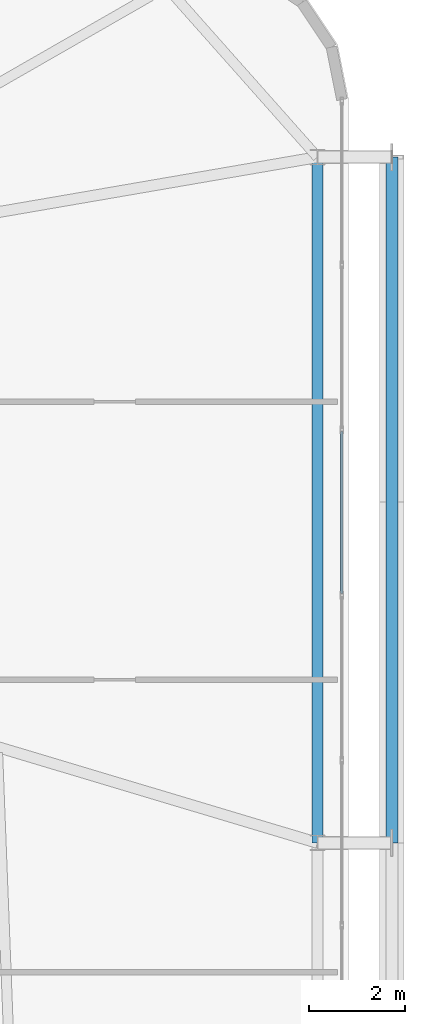
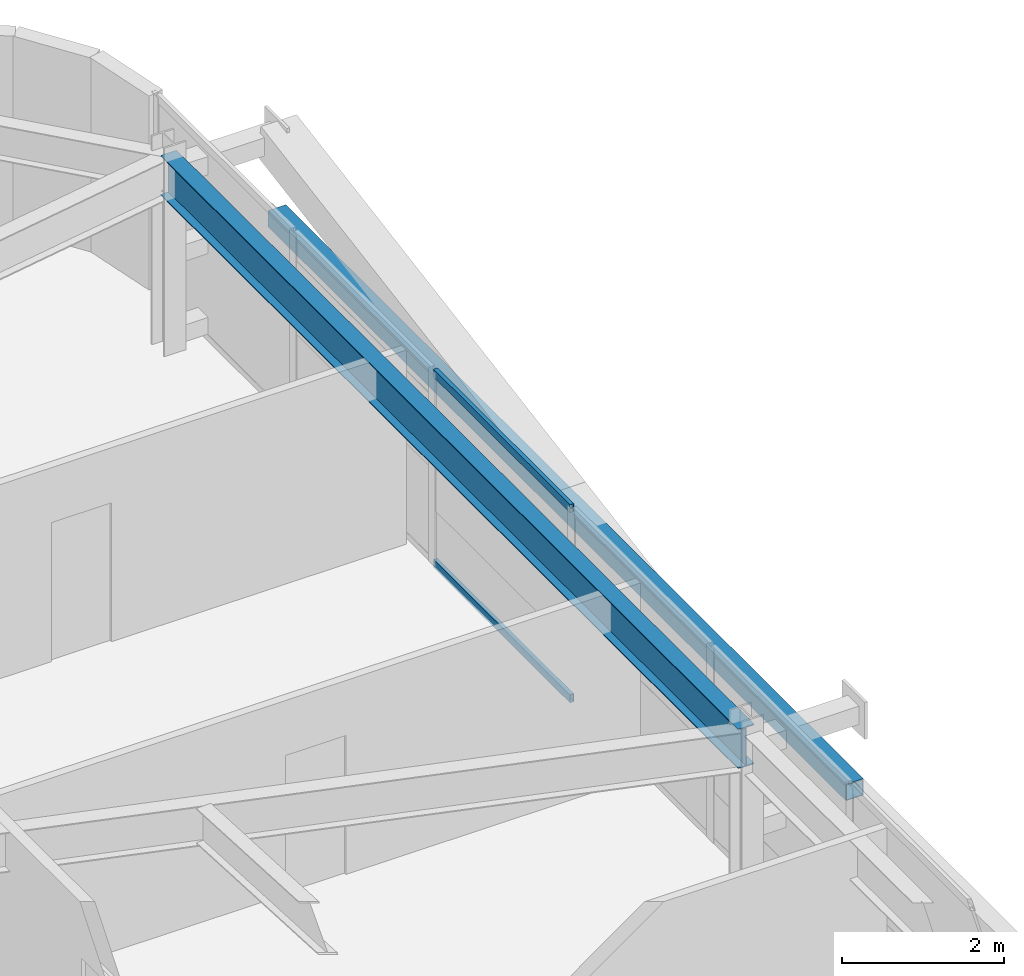
# One storey, part 31 of 59: 3 members, 1 beam, 1 element without a shape of its own.
"""IFC4 building model written with IfcOpenShell, lengths in metres."""

import ifcopenshell
import ifcopenshell.guid

model = None  # the IFC model being written
_history = None  # IfcOwnerHistory: only IFC2X3 demands one
_inside = {}  # id of a spatial element -> (the spatial element, [elements in it])
_under = {}  # id of a project, library or spatial element -> (it, [spatial elements below it])
_declared = {}  # id of a project -> (the project, [libraries it declares])
_typed = {}  # id of a type object -> (the type object, [elements of that type])
_made_of = {}  # id of a material, layer set ... -> (it, [elements and type objects made of it])


def new_model(schema):
    """Start an empty IFC model of exactly this schema.

    Asked for "IFC4X3", IfcOpenShell would pick the latest addendum, in which some entities
    have other attributes; the version numbers below select the first issue.
    IFC2X3 requires an IfcOwnerHistory on every rooted entity: one is made here for all.
    """
    global model, _history
    if schema == "IFC4X3":
        model = ifcopenshell.file(schema_version=(4, 3, 0, 0))
    else:
        model = ifcopenshell.file(schema=schema)
    _inside.clear()
    _under.clear()
    _declared.clear()
    _typed.clear()
    _made_of.clear()
    _history = None
    if model.schema == "IFC2X3":
        org = make("IfcOrganization", Name="unknown")
        user = make(
            "IfcPersonAndOrganization",
            ThePerson=make("IfcPerson", FamilyName="unknown"),
            TheOrganization=org,
        )
        app = make(
            "IfcApplication",
            ApplicationDeveloper=org,
            Version="unknown",
            ApplicationFullName="unknown",
            ApplicationIdentifier="unknown",
        )
        _history = make(
            "IfcOwnerHistory",
            OwningUser=user,
            OwningApplication=app,
            ChangeAction="ADDED",
            CreationDate=0,
        )
    return model


def make(cls, **values):
    """One entity of the class cls with the attributes given. An attribute that is None is left unset."""
    return model.create_entity(
        cls, **{name: value for name, value in values.items() if value is not None}
    )


def rooted(cls, **values):
    """An entity with a GlobalId (a new one), such as an element, a storey or a relation."""
    return make(cls, GlobalId=ifcopenshell.guid.new(), OwnerHistory=_history, **values)


def si_unit(unit_type, name, prefix=None):
    """IfcSIUnit, for example si_unit("LENGTHUNIT", "METRE", prefix="MILLI")."""
    return make("IfcSIUnit", UnitType=unit_type, Prefix=prefix, Name=name)


def assignment(units):
    """IfcUnitAssignment: the units of a project."""
    return None if units is None else make("IfcUnitAssignment", Units=units)


def point(xyz):
    """IfcCartesianPoint."""
    return None if xyz is None else make("IfcCartesianPoint", Coordinates=xyz)


def direction(xyz):
    """IfcDirection."""
    return None if xyz is None else make("IfcDirection", DirectionRatios=xyz)


def frame(location, z_axis=None, x_axis=None):
    """IfcAxis2Placement3D, a coordinate frame: its origin and axes. An axis left out is left unset."""
    return make(
        "IfcAxis2Placement3D",
        Location=point(location),
        Axis=direction(z_axis),
        RefDirection=direction(x_axis),
    )


def frame_2d(location, x_axis=None):
    """IfcAxis2Placement2D, a coordinate frame in the plane: its origin and x axis."""
    return make(
        "IfcAxis2Placement2D", Location=point(location), RefDirection=direction(x_axis)
    )


def origin():
    """The frame at (0, 0, 0) with its axes left unset."""
    return frame((0.0, 0.0, 0.0))


def origin_2d():
    """The frame at (0, 0) in the plane with its x axis left unset."""
    return frame_2d((0.0, 0.0))


def place(relative_to, where):
    """IfcLocalPlacement: puts the frame where relative to a parent placement (None: the world)."""
    return make(
        "IfcLocalPlacement", PlacementRelTo=relative_to, RelativePlacement=where
    )


def context(
    kind, dimensions, precision=None, world=None, true_north=None, identifier=None
):
    """IfcGeometricRepresentationContext, for example the 3D "Model" context."""
    return make(
        "IfcGeometricRepresentationContext",
        ContextIdentifier=identifier,
        ContextType=kind,
        CoordinateSpaceDimension=dimensions,
        Precision=precision,
        WorldCoordinateSystem=world,
        TrueNorth=true_north,
    )


def subcontext(parent, identifier, kind, view, scale=None):
    """IfcGeometricRepresentationSubContext, for example "Body" below "Model"."""
    return make(
        "IfcGeometricRepresentationSubContext",
        ContextIdentifier=identifier,
        ContextType=kind,
        ParentContext=parent,
        TargetScale=scale,
        TargetView=view,
    )


def project(units=None, contexts=None):
    """IfcProject with its units and contexts."""
    return rooted(
        "IfcProject",
        Name="project",
        RepresentationContexts=contexts,
        UnitsInContext=assignment(units),
    )


def spatial(cls, under=None, at=None, **own):
    """A site, building, storey or space (cls), placed at a placement, below another one or the project."""
    s = rooted(cls, ObjectPlacement=at, **own)
    if under is not None:
        _under.setdefault(under.id(), (under, []))[1].append(s)
    return s


def profile(cls, at=None, kind="AREA", **sizes):
    """A parametric profile (cls). Its sizes go by their IFC names, for example OverallWidth=200.0."""
    return make(cls, ProfileType=kind, Position=at, **sizes)


def hollow_rectangle(**sizes):
    """IfcRectangleHollowProfileDef."""
    return profile("IfcRectangleHollowProfileDef", **sizes)


def i_section(**sizes):
    """IfcIShapeProfileDef."""
    return profile("IfcIShapeProfileDef", **sizes)


def extrude(swept, where, along, depth):
    """IfcExtrudedAreaSolid: the profile swept, set in the frame where, extruded along a direction by depth."""
    return make(
        "IfcExtrudedAreaSolid",
        SweptArea=swept,
        Position=where,
        ExtrudedDirection=direction(along),
        Depth=depth,
    )


def shape(context_of_items, identifier, shape_type, items):
    """IfcShapeRepresentation: the items that make up one representation, for example the "Body"."""
    return make(
        "IfcShapeRepresentation",
        ContextOfItems=context_of_items,
        RepresentationIdentifier=identifier,
        RepresentationType=shape_type,
        Items=items,
    )


def source(mapping_origin, context_of_items, identifier, shape_type, items):
    """IfcRepresentationMap: a shape defined once, which mapped items show again and again."""
    return make(
        "IfcRepresentationMap",
        MappingOrigin=mapping_origin,
        MappedRepresentation=shape(context_of_items, identifier, shape_type, items),
    )


def transform(
    local_origin,
    x_axis=None,
    y_axis=None,
    z_axis=None,
    scale=None,
    scale2=None,
    scale3=None,
    uniform=True,
):
    """IfcCartesianTransformationOperator3D, or its non-uniform kind. x_axis, y_axis, z_axis: its Axis1, 2, 3."""
    if uniform:
        return make(
            "IfcCartesianTransformationOperator3D",
            Axis1=direction(x_axis),
            Axis2=direction(y_axis),
            LocalOrigin=point(local_origin),
            Scale=scale,
            Axis3=direction(z_axis),
        )
    return make(
        "IfcCartesianTransformationOperator3DnonUniform",
        Axis1=direction(x_axis),
        Axis2=direction(y_axis),
        LocalOrigin=point(local_origin),
        Scale=scale,
        Axis3=direction(z_axis),
        Scale2=scale2,
        Scale3=scale3,
    )


def mapped(mapping_source, mapping_target):
    """IfcMappedItem: shows the shape of a source again, moved by a transform."""
    return make(
        "IfcMappedItem", MappingSource=mapping_source, MappingTarget=mapping_target
    )


def material(Name=None, Category=None):
    """IfcMaterial."""
    return make("IfcMaterial", Name=Name, Category=Category)


def layer(
    of_material, thickness, ventilated=None, Name=None, Category=None, Priority=None
):
    """IfcMaterialLayer: one layer of a wall or slab, of a material (None: an air gap)."""
    return make(
        "IfcMaterialLayer",
        Material=of_material,
        LayerThickness=thickness,
        IsVentilated=ventilated,
        Name=Name,
        Category=Category,
        Priority=Priority,
    )


def layer_set(layers, Name=None):
    """IfcMaterialLayerSet."""
    return make("IfcMaterialLayerSet", MaterialLayers=layers, LayerSetName=Name)


def material_profile(
    of_material, cross_section, Name=None, Category=None, Priority=None
):
    """IfcMaterialProfile: a cross section and its material."""
    return make(
        "IfcMaterialProfile",
        Name=Name,
        Material=of_material,
        Profile=cross_section,
        Priority=Priority,
        Category=Category,
    )


def profile_set(profiles, Name=None, composite=None):
    """IfcMaterialProfileSet."""
    return make(
        "IfcMaterialProfileSet",
        Name=Name,
        MaterialProfiles=profiles,
        CompositeProfile=composite,
    )


def made_of(thing, what):
    """Note that an element or type object is made of a material, layer set ...; save() writes the relation."""
    if what is not None:
        _made_of.setdefault(what.id(), (what, []))[1].append(thing)
    return thing


def type_object(cls, material=None, **own):
    """A type object (cls), such as IfcWallType, which elements share."""
    return made_of(rooted(cls, **own), material)


def element(
    cls,
    number,
    at=None,
    inside=None,
    cuts=None,
    type_object=None,
    material=None,
    context=None,
    identifier="Body",
    shape_type=None,
    held_by="IfcProductDefinitionShape",
    body=None,
    shapes=None,
    **own,
):
    """One element of the class cls, such as IfcWall. Its Tag is "e" and its number.

    at: its placement. inside: the storey or other place that contains it. cuts: it is an
    opening in that element (IfcRelVoidsElement). A single representation is given by context,
    identifier, shape_type and body (its items); several are given by shapes. held_by: the class
    of the entity that holds the representations. save() writes the other relations.
    """
    e = rooted(cls, Tag="e%d" % number, ObjectPlacement=at, **own)
    if body is not None:
        shapes = [shape(context, identifier, shape_type, body)]
    if shapes is not None:
        e.Representation = make(held_by, Representations=shapes)
    if inside is not None:
        _inside.setdefault(inside.id(), (inside, []))[1].append(e)
    if cuts is not None:
        rooted(
            "IfcRelVoidsElement", RelatingBuildingElement=cuts, RelatedOpeningElement=e
        )
    if type_object is not None:
        _typed.setdefault(type_object.id(), (type_object, []))[1].append(e)
    return made_of(e, material)


def aggregate(whole, parts):
    """IfcRelAggregates: a whole, such as a stair, and the parts it consists of."""
    return rooted("IfcRelAggregates", RelatingObject=whole, RelatedObjects=parts)


def save(model, path):
    """Write the relations noted so far, then the file.

    IfcRelAggregates (storeys below a building ...), IfcRelContainedInSpatialStructure (elements
    in a storey), IfcRelDefinesByType, IfcRelAssociatesMaterial and IfcRelDeclares: one each for
    every whole, place, type object, material and project.
    """
    for whole, parts in _under.values():
        aggregate(whole, parts)
    for where, things in _inside.values():
        rooted(
            "IfcRelContainedInSpatialStructure",
            RelatedElements=things,
            RelatingStructure=where,
        )
    for kind, things in _typed.values():
        rooted("IfcRelDefinesByType", RelatedObjects=things, RelatingType=kind)
    for what, things in _made_of.values():
        rooted("IfcRelAssociatesMaterial", RelatedObjects=things, RelatingMaterial=what)
    for by, libraries in _declared.values():
        rooted("IfcRelDeclares", RelatingContext=by, RelatedDefinitions=libraries)
    model.write(path)


model = new_model("IFC4")

# Units and contexts
model_context = context("Model", 3, precision=1e-05, world=origin(), true_north=direction((0.0, 1.0)))
body_context = subcontext(model_context, "Body", "Model", "MODEL_VIEW")
ifc_project = project(units=[si_unit("LENGTHUNIT", "METRE"), si_unit("AREAUNIT", "SQUARE_METRE"), si_unit("VOLUMEUNIT", "CUBIC_METRE"), si_unit("PLANEANGLEUNIT", "RADIAN"), si_unit("MASSUNIT", "GRAM", prefix="KILO")], contexts=[model_context])

# Site, building, storey
site_placement = place(None, origin())
site = spatial("IfcSite", under=ifc_project, at=site_placement, CompositionType="ELEMENT")
building_placement = place(site_placement, origin())
building = spatial("IfcBuilding", under=site, at=building_placement, Name="Taldren Reach Tower", CompositionType="ELEMENT")
storey_placement = place(building_placement, frame((0.0, 0.0, 26.25)))
storey = spatial("IfcBuildingStorey", under=building, at=storey_placement, Name="L07", CompositionType="ELEMENT", Elevation=26.25)

# Beam
ifc_material_1 = material(Name="Steel Gr 350 (350PLUS)", Category="steel")
ifc_material_profile_1 = material_profile(ifc_material_1, i_section(OverallWidth=0.22802734375, OverallDepth=0.60205078125, WebThickness=0.010498046875, FlangeThickness=0.014892578125, at=origin_2d()), Name="610UB101")
ifc_profile_set_1 = profile_set([ifc_material_profile_1], Name="Steel Gr 350 (350PLUS)")
beam_type = type_object("IfcBeamType", Name="BM-UB610B", PredefinedType="BEAM", material=ifc_profile_set_1)
shared_shape_1 = source(origin(), body_context, "Body", "SweptSolid", [
    extrude(i_section(OverallWidth=0.22802734375, OverallDepth=0.60205078125, WebThickness=0.010498046875, FlangeThickness=0.014892578125, at=origin_2d()), origin(), (0.0, 0.0, 1.0), 14.300048828125),
])
beam_placement = place(storey_placement, frame((64.35009765625, 20.0, 2.62890625), z_axis=(0.0, 1.0, 0.0), x_axis=(-1.0, 0.0, 0.0)))
element("IfcBeam", 1, at=beam_placement, inside=storey, type_object=beam_type, Name="Perimeter gable girder B1 E2-E3 L07", PredefinedType="BEAM", context=body_context, shape_type="MappedRepresentation", body=[
    mapped(shared_shape_1, transform((0.0, 0.0, 0.0), scale=1.0)),
])

# Member
ifc_material_2 = material(Name="Steel Gr 350 (C350L0)", Category="steel")
ifc_material_profile_2 = material_profile(ifc_material_2, hollow_rectangle(XDim=0.25, YDim=0.25, WallThickness=0.010009765625, at=origin_2d()), Name="250x250x10.0SHS")
ifc_profile_set_2 = profile_set([ifc_material_profile_2], Name="Steel Gr 350 (C350L0)")
member_type_1 = type_object("IfcMemberType", Name="MB-POST250", PredefinedType="POST", material=ifc_profile_set_2)
shared_shape_2 = source(origin(), body_context, "Body", "SweptSolid", [
    extrude(hollow_rectangle(XDim=0.25, YDim=0.25, WallThickness=0.010009765625, at=origin_2d()), origin(), (0.0, 0.0, 1.0), 14.300048828125),
])
member_1_placement = place(storey_placement, frame((65.89990234375, 20.0, 1.43505859375), z_axis=(0.0, 1.0, 0.0), x_axis=(-1.0, 0.0, 0.0)))
element("IfcMember", 2, at=member_1_placement, inside=storey, type_object=member_type_1, Name="Exoskeleton mid-height ring chord B1-E2 L07", PredefinedType="POST", context=body_context, shape_type="MappedRepresentation", body=[
    mapped(shared_shape_2, transform((0.0, 0.0, 0.0), scale=1.0)),
])

# Curtain wall, members
ifc_material_3 = material(Name="Aluminium and Low-E Glass Unitised System", Category="aluminium")
ifc_layer = layer(ifc_material_3, 0.159912109375)
ifc_layer_set = layer_set([ifc_layer], Name="Aluminium and Low-E Glass Unitised System")
curtain_wall_type = type_object("IfcCurtainWallType", Name="CW-SYS-2", PredefinedType="NOTDEFINED", material=ifc_layer_set)
curtain_wall_placement = place(storey_placement, origin())
curtain_wall = element("IfcCurtainWall", 3, at=curtain_wall_placement, inside=storey, type_object=curtain_wall_type, Name="Unitised curtain wall CW-L07-E", PredefinedType="NOTDEFINED")
ifc_material_4 = material(Name="Anodised Aluminium 6063-T6", Category="aluminium")
ifc_material_profile_3 = material_profile(ifc_material_4, hollow_rectangle(XDim=0.054931640625, YDim=0.1201171875, WallThickness=0.0029296875, at=origin_2d()), Name="ALU-120x55x3RHS")
ifc_profile_set_3 = profile_set([ifc_material_profile_3], Name="Anodised Aluminium 6063-T6")
member_type_2 = type_object("IfcMemberType", Name="CW-TRN-135", PredefinedType="USERDEFINED", material=ifc_profile_set_3)
shared_shape_3 = source(origin(), body_context, "Body", "SweptSolid", [
    extrude(hollow_rectangle(XDim=0.054931640625, YDim=0.1201171875, WallThickness=0.0029296875, at=origin_2d()), origin(), (0.0, 0.0, 1.0), 3.37939453125),
])
member_2_placement = place(storey_placement, frame((64.860107421875, 25.19921875, 0.027587890625), z_axis=(0.0, 1.0, 0.0), x_axis=(-1.0, 0.0, 0.0)))
member_2 = element("IfcMember", 4, at=member_2_placement, type_object=member_type_2, Name="CW-2 transom 7.1", ObjectType="TRANSOM", PredefinedType="USERDEFINED", context=body_context, shape_type="MappedRepresentation", body=[
    mapped(shared_shape_3, transform((0.0, 0.0, 0.0), scale=1.0)),
])
member_3_placement = place(storey_placement, frame((64.860107421875, 25.19921875, 2.902587890625), z_axis=(0.0, 1.0, 0.0), x_axis=(-1.0, 0.0, 0.0)))
member_3 = element("IfcMember", 5, at=member_3_placement, type_object=member_type_2, Name="CW-2 transom 7.2", ObjectType="TRANSOM", PredefinedType="USERDEFINED", context=body_context, shape_type="MappedRepresentation", body=[
    mapped(shared_shape_3, transform((0.0, 0.0, 0.0), scale=1.0)),
])
aggregate(curtain_wall, [member_2, member_3])

save(model, "model.ifc")
